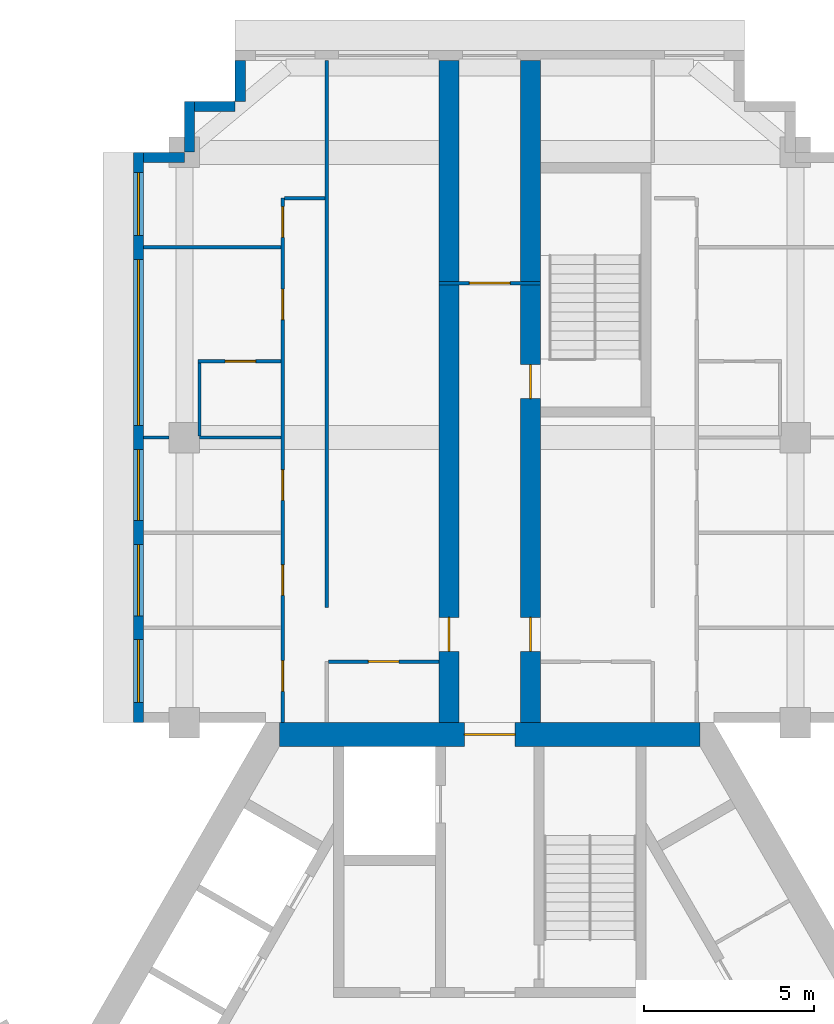
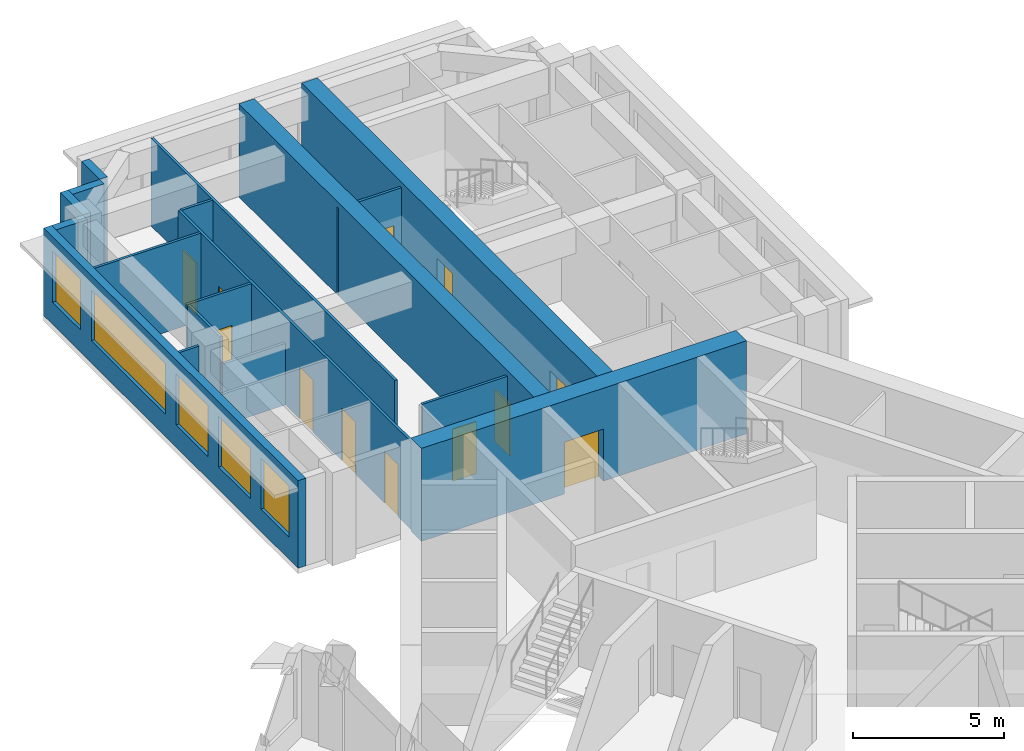
# One storey, part 7 of 10: 18 walls, 12 doors, 5 windows, 17 openings.
"""IFC4 building model written with IfcOpenShell, lengths in metres."""

from ifc_helpers import new_model, si_unit, direction, frame, frame_2d, origin, place, context, subcontext, project, spatial, rectangle, extrude, material, layer, layer_set, type_object, element, fill, save


model = new_model("IFC4")

# Units and contexts
model_context = context("Model", 3, precision=1e-05, world=origin(), true_north=direction((0.0, 1.0)))
body_context = subcontext(model_context, "Body", "Model", "MODEL_VIEW")
ifc_project = project(units=[si_unit("LENGTHUNIT", "METRE"), si_unit("AREAUNIT", "SQUARE_METRE"), si_unit("VOLUMEUNIT", "CUBIC_METRE"), si_unit("PLANEANGLEUNIT", "RADIAN"), si_unit("MASSUNIT", "GRAM", prefix="KILO")], contexts=[model_context])

# Site, building, storey
site_placement = place(None, origin())
site = spatial("IfcSite", under=ifc_project, at=site_placement, CompositionType="ELEMENT")
building_placement = place(site_placement, origin())
building = spatial("IfcBuilding", under=site, at=building_placement, Name="Impinga Residences", CompositionType="ELEMENT")
storey_placement = place(building_placement, frame((0.0, 0.0, 267.25)))
storey = spatial("IfcBuildingStorey", under=building, at=storey_placement, Name="L67", CompositionType="ELEMENT", Elevation=267.25)

# Wall, opening, door
ifc_material_1 = material(Name="Concrete C60/75", Category="concrete")
ifc_layer_1 = layer(ifc_material_1, 0.60009765625)
ifc_layer_set_1 = layer_set([ifc_layer_1], Name="Concrete C60/75")
wall_type_1 = type_object("IfcWallType", Name="BW3 corridor buttress wall, L46 to L73 600", PredefinedType="SHEAR", material=ifc_layer_set_1)
wall_1_placement = place(storey_placement, frame((-1.199951171875, 11.08154296875, 0.0), z_axis=(0.0, 0.0, 1.0), x_axis=(0.0, 1.0, 0.0)))
wall_1 = element("IfcWall", 1, at=wall_1_placement, inside=storey, type_object=wall_type_1, Name="Corridor wall BW3 NC L67", PredefinedType="SHEAR", context=body_context, shape_type="SweptSolid", body=[
    extrude(rectangle(XDim=19.85009765625, YDim=0.60009765625, at=frame_2d((9.925048828125, 0.0))), origin(), (0.0, 0.0, 1.0), 3.75),
])
opening_1_placement = place(wall_1_placement, frame((2.449951171875, 0.0, 0.0)))
opening_1 = element("IfcOpeningElement", 2, at=opening_1_placement, cuts=wall_1, Name="Opening D1", PredefinedType="OPENING", context=body_context, shape_type="SweptSolid", body=[
    extrude(rectangle(XDim=1.0, YDim=2.10009765625, at=frame_2d((0.5, 1.050048828125))), frame((0.0, 0.31005859375, 0.0), z_axis=(0.0, -1.0, 0.0), x_axis=(1.0, 0.0, 0.0)), (0.0, 0.0, 1.0), 0.6201171875),
])
ifc_material_2 = material(Name="Timber door set", Category="wood")
door_type_1 = type_object("IfcDoorType", Name="D1 apartment entrance door 1000x2100", OperationType="SINGLE_SWING_LEFT", PredefinedType="DOOR", material=ifc_material_2)
door_1_placement = place(opening_1_placement, origin())
door_1 = element("IfcDoor", 3, at=door_1_placement, inside=storey, type_object=door_type_1, Name="Apartment L67-NA1 entrance", OperationType="SINGLE_SWING_LEFT", OverallHeight=2.10009765625, OverallWidth=1.0, PredefinedType="DOOR", context=body_context, shape_type="SweptSolid", body=[
    extrude(rectangle(XDim=1.0, YDim=2.10009765625, at=frame_2d((0.5, 1.050048828125))), frame((0.0, 0.02490234375, 0.0), z_axis=(0.0, -1.0, 0.0), x_axis=(1.0, 0.0, 0.0)), (0.0, 0.0, 1.0), 0.050048828125),
])
fill(opening_1, door_1)

# Wall, openings, doors
wall_2_placement = place(storey_placement, frame((1.199951171875, 11.08154296875, 0.0), z_axis=(0.0, 0.0, 1.0), x_axis=(0.0, 1.0, 0.0)))
wall_2 = element("IfcWall", 4, at=wall_2_placement, inside=storey, type_object=wall_type_1, Name="Corridor wall BW3 ND L67", PredefinedType="SHEAR", context=body_context, shape_type="SweptSolid", body=[
    extrude(rectangle(XDim=19.85009765625, YDim=0.60009765625, at=frame_2d((9.925048828125, 0.0))), origin(), (0.0, 0.0, 1.0), 3.75),
])
opening_2_placement = place(wall_2_placement, frame((9.89990234375, 0.0, 0.0)))
opening_2 = element("IfcOpeningElement", 5, at=opening_2_placement, cuts=wall_2, Name="Opening D5", PredefinedType="OPENING", context=body_context, shape_type="SweptSolid", body=[
    extrude(rectangle(XDim=1.0, YDim=2.10009765625, at=frame_2d((0.5, 1.050048828125))), frame((0.0, 0.31005859375, 0.0), z_axis=(0.0, -1.0, 0.0), x_axis=(1.0, 0.0, 0.0)), (0.0, 0.0, 1.0), 0.6201171875),
])
opening_3_placement = place(wall_2_placement, frame((2.449951171875, 0.0, 0.0)))
opening_3 = element("IfcOpeningElement", 6, at=opening_3_placement, cuts=wall_2, Name="Opening D1", PredefinedType="OPENING", context=body_context, shape_type="SweptSolid", body=[
    extrude(rectangle(XDim=1.0, YDim=2.10009765625, at=frame_2d((0.5, 1.050048828125))), frame((0.0, 0.31005859375, 0.0), z_axis=(0.0, -1.0, 0.0), x_axis=(1.0, 0.0, 0.0)), (0.0, 0.0, 1.0), 0.6201171875),
])
door_2_placement = place(opening_3_placement, origin())
door_2 = element("IfcDoor", 7, at=door_2_placement, inside=storey, type_object=door_type_1, Name="Apartment L67-NF1 entrance", OperationType="SINGLE_SWING_LEFT", OverallHeight=2.10009765625, OverallWidth=1.0, PredefinedType="DOOR", context=body_context, shape_type="SweptSolid", body=[
    extrude(rectangle(XDim=1.0, YDim=2.10009765625, at=frame_2d((0.5, 1.050048828125))), frame((0.0, 0.02490234375, 0.0), z_axis=(0.0, -1.0, 0.0), x_axis=(1.0, 0.0, 0.0)), (0.0, 0.0, 1.0), 0.050048828125),
])
fill(opening_3, door_2)
door_type_2 = type_object("IfcDoorType", Name="D5 stair door 1000x2100", OperationType="SINGLE_SWING_LEFT", PredefinedType="DOOR", material=ifc_material_2)
door_3_placement = place(opening_2_placement, origin())
door_3 = element("IfcDoor", 8, at=door_3_placement, inside=storey, type_object=door_type_2, Name="Wing stair door N", OperationType="SINGLE_SWING_RIGHT", OverallHeight=2.10009765625, OverallWidth=1.0, PredefinedType="DOOR", context=body_context, shape_type="SweptSolid", body=[
    extrude(rectangle(XDim=1.0, YDim=2.10009765625, at=frame_2d((0.5, 1.050048828125))), frame((0.0, 0.02490234375, 0.0), z_axis=(0.0, -1.0, 0.0), x_axis=(1.0, 0.0, 0.0)), (0.0, 0.0, 1.0), 0.050048828125),
])
fill(opening_2, door_3)

# Wall, opening, door
ifc_material_3 = material(Name="Concrete blockwork", Category="masonry")
ifc_layer_2 = layer(ifc_material_3, 0.10009765625)
ifc_layer_set_2 = layer_set([ifc_layer_2], Name="CP1 core room partition, blockwork 100")
wall_type_2 = type_object("IfcWallType", Name="CP1 core room partition, blockwork 100", PredefinedType="PARTITIONING", material=ifc_layer_set_2)
wall_3_placement = place(storey_placement, frame((-1.5, 24.381591796875, 0.0), z_axis=(0.0, 0.0, 1.0), x_axis=(1.0, 0.0, 0.0)))
wall_3 = element("IfcWall", 9, at=wall_3_placement, inside=storey, type_object=wall_type_2, Name="Core room partition, blockwork L67:N:LNG", PredefinedType="PARTITIONING", context=body_context, shape_type="SweptSolid", body=[
    extrude(rectangle(XDim=3.0, YDim=0.10009765625, at=frame_2d((1.5, 0.0))), origin(), (0.0, 0.0, 1.0), 3.530029296875),
])
opening_4_placement = place(wall_3_placement, frame((0.89990234375, 0.0, 0.0)))
opening_4 = element("IfcOpeningElement", 10, at=opening_4_placement, cuts=wall_3, Name="Opening D3", PredefinedType="OPENING", context=body_context, shape_type="SweptSolid", body=[
    extrude(rectangle(XDim=1.199951171875, YDim=2.10009765625, at=frame_2d((0.60009765625, 1.050048828125))), frame((0.0, 0.06005859375, 0.0), z_axis=(0.0, -1.0, 0.0), x_axis=(1.0, 0.0, 0.0)), (0.0, 0.0, 1.0), 0.1201171875),
])
door_type_3 = type_object("IfcDoorType", Name="D3 room door, leaf and a half 1200x2100", OperationType="DOUBLE_SWING_LEFT", PredefinedType="DOOR", material=ifc_material_2)
door_4_placement = place(opening_4_placement, origin())
door_4 = element("IfcDoor", 11, at=door_4_placement, inside=storey, type_object=door_type_3, Name="Residents' lounge door N", OperationType="DOUBLE_SWING_LEFT", OverallHeight=2.10009765625, OverallWidth=1.199951171875, PredefinedType="DOOR", context=body_context, shape_type="SweptSolid", body=[
    extrude(rectangle(XDim=1.199951171875, YDim=2.10009765625, at=frame_2d((0.60009765625, 1.050048828125))), frame((0.0, 0.02490234375, 0.0), z_axis=(0.0, -1.0, 0.0), x_axis=(1.0, 0.0, 0.0)), (0.0, 0.0, 1.0), 0.050048828125),
])
fill(opening_4, door_4)

# Wall, openings, windows
ifc_material_4 = material(Name="Terracotta rainscreen on blockwork", Category="masonry")
ifc_layer_3 = layer(ifc_material_4, 0.300048828125)
ifc_layer_set_3 = layer_set([ifc_layer_3], Name="EW1 external wall, terracotta rainscreen on blockwork 300")
wall_type_3 = type_object("IfcWallType", Name="EW1 external wall, terracotta rainscreen on blockwork 300", PredefinedType="SOLIDWALL", material=ifc_layer_set_3)
wall_4_placement = place(storey_placement, frame((-10.35009765625, 11.431640625, 0.0), z_axis=(0.0, 0.0, 1.0), x_axis=(0.0, 1.0, 0.0)))
wall_4 = element("IfcWall", 12, at=wall_4_placement, inside=storey, type_object=wall_type_3, Name="External wall EW1 L67", PredefinedType="SOLIDWALL", context=body_context, shape_type="SweptSolid", body=[
    extrude(rectangle(XDim=16.7998046875, YDim=0.300048828125, at=frame_2d((8.39990234375, 0.0))), origin(), (0.0, 0.0, 1.0), 3.530029296875),
])
opening_5_placement = place(wall_4_placement, frame((0.60009765625, 0.0, 0.89990234375)))
opening_5 = element("IfcOpeningElement", 13, at=opening_5_placement, cuts=wall_4, Name="Opening W15", PredefinedType="OPENING", context=body_context, shape_type="SweptSolid", body=[
    extrude(rectangle(XDim=1.85009765625, YDim=2.050048828125, at=frame_2d((0.925048828125, 1.02490234375))), frame((0.0, 0.159912109375, 0.0), z_axis=(0.0, -1.0, 0.0), x_axis=(1.0, 0.0, 0.0)), (0.0, 0.0, 1.0), 0.320068359375),
])
opening_6_placement = place(wall_4_placement, frame((3.14990234375, 0.0, 0.89990234375)))
opening_6 = element("IfcOpeningElement", 14, at=opening_6_placement, cuts=wall_4, Name="Opening W9", PredefinedType="OPENING", context=body_context, shape_type="SweptSolid", body=[
    extrude(rectangle(XDim=2.10009765625, YDim=2.050048828125, at=frame_2d((1.050048828125, 1.02490234375))), frame((0.0, 0.159912109375, 0.0), z_axis=(0.0, -1.0, 0.0), x_axis=(1.0, 0.0, 0.0)), (0.0, 0.0, 1.0), 0.320068359375),
])
opening_7_placement = place(wall_4_placement, frame((5.949951171875, 0.0, 0.89990234375)))
opening_7 = element("IfcOpeningElement", 15, at=opening_7_placement, cuts=wall_4, Name="Opening W9", PredefinedType="OPENING", context=body_context, shape_type="SweptSolid", body=[
    extrude(rectangle(XDim=2.10009765625, YDim=2.050048828125, at=frame_2d((1.050048828125, 1.02490234375))), frame((0.0, 0.159912109375, 0.0), z_axis=(0.0, -1.0, 0.0), x_axis=(1.0, 0.0, 0.0)), (0.0, 0.0, 1.0), 0.320068359375),
])
opening_8_placement = place(wall_4_placement, frame((8.75, 0.0, 0.89990234375)))
opening_8 = element("IfcOpeningElement", 16, at=opening_8_placement, cuts=wall_4, Name="Opening W16", PredefinedType="OPENING", context=body_context, shape_type="SweptSolid", body=[
    extrude(rectangle(XDim=4.89990234375, YDim=2.050048828125, at=frame_2d((2.449951171875, 1.02490234375))), frame((0.0, 0.159912109375, 0.0), z_axis=(0.0, -1.0, 0.0), x_axis=(1.0, 0.0, 0.0)), (0.0, 0.0, 1.0), 0.320068359375),
])
opening_9_placement = place(wall_4_placement, frame((14.35009765625, 0.0, 0.89990234375)))
opening_9 = element("IfcOpeningElement", 17, at=opening_9_placement, cuts=wall_4, Name="Opening W15", PredefinedType="OPENING", context=body_context, shape_type="SweptSolid", body=[
    extrude(rectangle(XDim=1.85009765625, YDim=2.050048828125, at=frame_2d((0.925048828125, 1.02490234375))), frame((0.0, 0.159912109375, 0.0), z_axis=(0.0, -1.0, 0.0), x_axis=(1.0, 0.0, 0.0)), (0.0, 0.0, 1.0), 0.320068359375),
])
ifc_material_5 = material(Name="Aluminium window, clear double glazing", Category="aluminium")
window_type_1 = type_object("IfcWindowType", Name="W15 ribbon window 1850x2050", PartitioningType="SINGLE_PANEL", PredefinedType="WINDOW", material=ifc_material_5)
window_1_placement = place(opening_5_placement, origin())
window_1 = element("IfcWindow", 18, at=window_1_placement, inside=storey, type_object=window_type_1, Name="Window L67", OverallHeight=2.050048828125, OverallWidth=1.85009765625, PartitioningType="SINGLE_PANEL", PredefinedType="WINDOW", context=body_context, shape_type="SweptSolid", body=[
    extrude(rectangle(XDim=1.85009765625, YDim=2.050048828125, at=frame_2d((0.925048828125, 1.02490234375))), frame((0.0, 0.030029296875, 0.0), z_axis=(0.0, -1.0, 0.0), x_axis=(1.0, 0.0, 0.0)), (0.0, 0.0, 1.0), 0.06005859375),
])
fill(opening_5, window_1)
window_2_placement = place(opening_9_placement, origin())
window_2 = element("IfcWindow", 19, at=window_2_placement, inside=storey, type_object=window_type_1, Name="Window L67", OverallHeight=2.050048828125, OverallWidth=1.85009765625, PartitioningType="SINGLE_PANEL", PredefinedType="WINDOW", context=body_context, shape_type="SweptSolid", body=[
    extrude(rectangle(XDim=1.85009765625, YDim=2.050048828125, at=frame_2d((0.925048828125, 1.02490234375))), frame((0.0, 0.030029296875, 0.0), z_axis=(0.0, -1.0, 0.0), x_axis=(1.0, 0.0, 0.0)), (0.0, 0.0, 1.0), 0.06005859375),
])
fill(opening_9, window_2)
window_type_2 = type_object("IfcWindowType", Name="W16 ribbon window 4900x2050", PartitioningType="SINGLE_PANEL", PredefinedType="WINDOW", material=ifc_material_5)
window_3_placement = place(opening_8_placement, origin())
window_3 = element("IfcWindow", 20, at=window_3_placement, inside=storey, type_object=window_type_2, Name="Window L67", OverallHeight=2.050048828125, OverallWidth=4.89990234375, PartitioningType="SINGLE_PANEL", PredefinedType="WINDOW", context=body_context, shape_type="SweptSolid", body=[
    extrude(rectangle(XDim=4.89990234375, YDim=2.050048828125, at=frame_2d((2.449951171875, 1.02490234375))), frame((0.0, 0.030029296875, 0.0), z_axis=(0.0, -1.0, 0.0), x_axis=(1.0, 0.0, 0.0)), (0.0, 0.0, 1.0), 0.06005859375),
])
fill(opening_8, window_3)
window_type_3 = type_object("IfcWindowType", Name="W9 ribbon window 2100x2050", PartitioningType="SINGLE_PANEL", PredefinedType="WINDOW", material=ifc_material_5)
window_4_placement = place(opening_6_placement, origin())
window_4 = element("IfcWindow", 21, at=window_4_placement, inside=storey, type_object=window_type_3, Name="Window L67", OverallHeight=2.050048828125, OverallWidth=2.10009765625, PartitioningType="SINGLE_PANEL", PredefinedType="WINDOW", context=body_context, shape_type="SweptSolid", body=[
    extrude(rectangle(XDim=2.10009765625, YDim=2.050048828125, at=frame_2d((1.050048828125, 1.02490234375))), frame((0.0, 0.030029296875, 0.0), z_axis=(0.0, -1.0, 0.0), x_axis=(1.0, 0.0, 0.0)), (0.0, 0.0, 1.0), 0.06005859375),
])
fill(opening_6, window_4)
window_5_placement = place(opening_7_placement, origin())
window_5 = element("IfcWindow", 22, at=window_5_placement, inside=storey, type_object=window_type_3, Name="Window L67", OverallHeight=2.050048828125, OverallWidth=2.10009765625, PartitioningType="SINGLE_PANEL", PredefinedType="WINDOW", context=body_context, shape_type="SweptSolid", body=[
    extrude(rectangle(XDim=2.10009765625, YDim=2.050048828125, at=frame_2d((1.050048828125, 1.02490234375))), frame((0.0, 0.030029296875, 0.0), z_axis=(0.0, -1.0, 0.0), x_axis=(1.0, 0.0, 0.0)), (0.0, 0.0, 1.0), 0.06005859375),
])
fill(opening_7, window_5)

# Walls
wall_5_placement = place(storey_placement, frame((-10.199951171875, 28.08154296875, 0.0), z_axis=(0.0, 0.0, 1.0), x_axis=(1.0, 0.0, 0.0)))
element("IfcWall", 23, at=wall_5_placement, inside=storey, type_object=wall_type_3, Name="External wall EW1 L67", PredefinedType="SOLIDWALL", context=body_context, shape_type="SweptSolid", body=[
    extrude(rectangle(XDim=1.199951171875, YDim=0.300048828125, at=frame_2d((0.60009765625, 0.0))), origin(), (0.0, 0.0, 1.0), 3.530029296875),
])
wall_6_placement = place(storey_placement, frame((-8.85009765625, 28.236572265625, 0.0), z_axis=(0.0, 0.0, 1.0), x_axis=(0.0, 1.0, 0.0)))
element("IfcWall", 24, at=wall_6_placement, inside=storey, type_object=wall_type_3, Name="External wall EW1 L67", PredefinedType="SOLIDWALL", context=body_context, shape_type="SweptSolid", body=[
    extrude(rectangle(XDim=1.494873046875, YDim=0.300048828125, at=frame_2d((0.74755859375, 0.0))), origin(), (0.0, 0.0, 1.0), 3.530029296875),
])
wall_7_placement = place(storey_placement, frame((-8.699951171875, 29.58154296875, 0.0), z_axis=(0.0, 0.0, 1.0), x_axis=(1.0, 0.0, 0.0)))
element("IfcWall", 25, at=wall_7_placement, inside=storey, type_object=wall_type_3, Name="External wall EW1 L67", PredefinedType="SOLIDWALL", context=body_context, shape_type="SweptSolid", body=[
    extrude(rectangle(XDim=1.199951171875, YDim=0.300048828125, at=frame_2d((0.60009765625, 0.0))), origin(), (0.0, 0.0, 1.0), 3.530029296875),
])
wall_8_placement = place(storey_placement, frame((-7.35009765625, 29.736572265625, 0.0), z_axis=(0.0, 0.0, 1.0), x_axis=(0.0, 1.0, 0.0)))
element("IfcWall", 26, at=wall_8_placement, inside=storey, type_object=wall_type_3, Name="External wall EW1 L67", PredefinedType="SOLIDWALL", context=body_context, shape_type="SweptSolid", body=[
    extrude(rectangle(XDim=1.195068359375, YDim=0.300048828125, at=frame_2d((0.59765625, 0.0))), origin(), (0.0, 0.0, 1.0), 3.530029296875),
])
ifc_material_6 = material(Name="Gypsum board on steel studs", Category="steel")
ifc_layer_4 = layer(ifc_material_6, 0.10009765625)
ifc_layer_set_4 = layer_set([ifc_layer_4], Name="Gypsum board on steel studs")
wall_type_4 = type_object("IfcWallType", Name="IP1 partition 100", PredefinedType="PARTITIONING", material=ifc_layer_set_4)
wall_9_placement = place(storey_placement, frame((-4.800048828125, 14.83154296875, 0.0), z_axis=(0.0, 0.0, 1.0), x_axis=(0.0, 1.0, 0.0)))
element("IfcWall", 27, at=wall_9_placement, inside=storey, type_object=wall_type_4, Name="Partition L67-NA1:DIV1", PredefinedType="PARTITIONING", context=body_context, shape_type="SweptSolid", body=[
    extrude(rectangle(XDim=16.10009765625, YDim=0.10009765625, at=frame_2d((8.050048828125, 0.0))), origin(), (0.0, 0.0, 1.0), 3.530029296875),
])

# Wall, openings, doors
wall_10_placement = place(storey_placement, frame((-6.10009765625, 11.431640625, 0.0), z_axis=(0.0, 0.0, 1.0), x_axis=(0.0, 1.0, 0.0)))
wall_10 = element("IfcWall", 28, at=wall_10_placement, inside=storey, type_object=wall_type_4, Name="Partition L67-NA1:STRIP", PredefinedType="PARTITIONING", context=body_context, shape_type="SweptSolid", body=[
    extrude(rectangle(XDim=15.449951171875, YDim=0.10009765625, at=frame_2d((7.72509765625, 0.0))), origin(), (0.0, 0.0, 1.0), 3.530029296875),
])
opening_10_placement = place(wall_10_placement, frame((0.925048828125, 0.0, 0.0)))
opening_10 = element("IfcOpeningElement", 29, at=opening_10_placement, cuts=wall_10, Name="Opening D2", PredefinedType="OPENING", context=body_context, shape_type="SweptSolid", body=[
    extrude(rectangle(XDim=0.89990234375, YDim=2.10009765625, at=frame_2d((0.449951171875, 1.050048828125))), frame((0.0, 0.06005859375, 0.0), z_axis=(0.0, -1.0, 0.0), x_axis=(1.0, 0.0, 0.0)), (0.0, 0.0, 1.0), 0.1201171875),
])
opening_11_placement = place(wall_10_placement, frame((3.75, 0.0, 0.0)))
opening_11 = element("IfcOpeningElement", 30, at=opening_11_placement, cuts=wall_10, Name="Opening D2", PredefinedType="OPENING", context=body_context, shape_type="SweptSolid", body=[
    extrude(rectangle(XDim=0.89990234375, YDim=2.10009765625, at=frame_2d((0.449951171875, 1.050048828125))), frame((0.0, 0.06005859375, 0.0), z_axis=(0.0, -1.0, 0.0), x_axis=(1.0, 0.0, 0.0)), (0.0, 0.0, 1.0), 0.1201171875),
])
opening_12_placement = place(wall_10_placement, frame((6.550048828125, 0.0, 0.0)))
opening_12 = element("IfcOpeningElement", 31, at=opening_12_placement, cuts=wall_10, Name="Opening D2", PredefinedType="OPENING", context=body_context, shape_type="SweptSolid", body=[
    extrude(rectangle(XDim=0.89990234375, YDim=2.10009765625, at=frame_2d((0.449951171875, 1.050048828125))), frame((0.0, 0.06005859375, 0.0), z_axis=(0.0, -1.0, 0.0), x_axis=(1.0, 0.0, 0.0)), (0.0, 0.0, 1.0), 0.1201171875),
])
opening_13_placement = place(wall_10_placement, frame((11.875, 0.0, 0.0)))
opening_13 = element("IfcOpeningElement", 32, at=opening_13_placement, cuts=wall_10, Name="Opening D2", PredefinedType="OPENING", context=body_context, shape_type="SweptSolid", body=[
    extrude(rectangle(XDim=0.89990234375, YDim=2.10009765625, at=frame_2d((0.449951171875, 1.050048828125))), frame((0.0, 0.06005859375, 0.0), z_axis=(0.0, -1.0, 0.0), x_axis=(1.0, 0.0, 0.0)), (0.0, 0.0, 1.0), 0.1201171875),
])
opening_14_placement = place(wall_10_placement, frame((14.300048828125, 0.0, 0.0)))
opening_14 = element("IfcOpeningElement", 33, at=opening_14_placement, cuts=wall_10, Name="Opening D2", PredefinedType="OPENING", context=body_context, shape_type="SweptSolid", body=[
    extrude(rectangle(XDim=0.89990234375, YDim=2.10009765625, at=frame_2d((0.449951171875, 1.050048828125))), frame((0.0, 0.06005859375, 0.0), z_axis=(0.0, -1.0, 0.0), x_axis=(1.0, 0.0, 0.0)), (0.0, 0.0, 1.0), 0.1201171875),
])
door_type_4 = type_object("IfcDoorType", Name="D2 internal door 900x2100", OperationType="SINGLE_SWING_LEFT", PredefinedType="DOOR", material=ifc_material_2)
door_5_placement = place(opening_10_placement, origin())
door_5 = element("IfcDoor", 34, at=door_5_placement, inside=storey, type_object=door_type_4, Name="Apartment L67-NA1 room door", OperationType="SINGLE_SWING_LEFT", OverallHeight=2.10009765625, OverallWidth=0.89990234375, PredefinedType="DOOR", context=body_context, shape_type="SweptSolid", body=[
    extrude(rectangle(XDim=0.89990234375, YDim=2.10009765625, at=frame_2d((0.449951171875, 1.050048828125))), frame((0.0, 0.02490234375, 0.0), z_axis=(0.0, -1.0, 0.0), x_axis=(1.0, 0.0, 0.0)), (0.0, 0.0, 1.0), 0.050048828125),
])
fill(opening_10, door_5)
door_6_placement = place(opening_11_placement, origin())
door_6 = element("IfcDoor", 35, at=door_6_placement, inside=storey, type_object=door_type_4, Name="Apartment L67-NA1 room door", OperationType="SINGLE_SWING_LEFT", OverallHeight=2.10009765625, OverallWidth=0.89990234375, PredefinedType="DOOR", context=body_context, shape_type="SweptSolid", body=[
    extrude(rectangle(XDim=0.89990234375, YDim=2.10009765625, at=frame_2d((0.449951171875, 1.050048828125))), frame((0.0, 0.02490234375, 0.0), z_axis=(0.0, -1.0, 0.0), x_axis=(1.0, 0.0, 0.0)), (0.0, 0.0, 1.0), 0.050048828125),
])
fill(opening_11, door_6)
door_7_placement = place(opening_12_placement, origin())
door_7 = element("IfcDoor", 36, at=door_7_placement, inside=storey, type_object=door_type_4, Name="Apartment L67-NA1 room door", OperationType="SINGLE_SWING_LEFT", OverallHeight=2.10009765625, OverallWidth=0.89990234375, PredefinedType="DOOR", context=body_context, shape_type="SweptSolid", body=[
    extrude(rectangle(XDim=0.89990234375, YDim=2.10009765625, at=frame_2d((0.449951171875, 1.050048828125))), frame((0.0, 0.02490234375, 0.0), z_axis=(0.0, -1.0, 0.0), x_axis=(1.0, 0.0, 0.0)), (0.0, 0.0, 1.0), 0.050048828125),
])
fill(opening_12, door_7)
door_8_placement = place(opening_13_placement, origin())
door_8 = element("IfcDoor", 37, at=door_8_placement, inside=storey, type_object=door_type_4, Name="Apartment L67-NA1 room door", OperationType="SINGLE_SWING_RIGHT", OverallHeight=2.10009765625, OverallWidth=0.89990234375, PredefinedType="DOOR", context=body_context, shape_type="SweptSolid", body=[
    extrude(rectangle(XDim=0.89990234375, YDim=2.10009765625, at=frame_2d((0.449951171875, 1.050048828125))), frame((0.0, 0.02490234375, 0.0), z_axis=(0.0, -1.0, 0.0), x_axis=(1.0, 0.0, 0.0)), (0.0, 0.0, 1.0), 0.050048828125),
])
fill(opening_13, door_8)
door_9_placement = place(opening_14_placement, origin())
door_9 = element("IfcDoor", 38, at=door_9_placement, inside=storey, type_object=door_type_4, Name="Apartment L67-NA1 room door", OperationType="SINGLE_SWING_RIGHT", OverallHeight=2.10009765625, OverallWidth=0.89990234375, PredefinedType="DOOR", context=body_context, shape_type="SweptSolid", body=[
    extrude(rectangle(XDim=0.89990234375, YDim=2.10009765625, at=frame_2d((0.449951171875, 1.050048828125))), frame((0.0, 0.02490234375, 0.0), z_axis=(0.0, -1.0, 0.0), x_axis=(1.0, 0.0, 0.0)), (0.0, 0.0, 1.0), 0.050048828125),
])
fill(opening_14, door_9)

# Wall
wall_11_placement = place(storey_placement, frame((-4.85009765625, 26.881591796875, 0.0), z_axis=(0.0, 0.0, 1.0), x_axis=(-1.0, 0.0, 0.0)))
element("IfcWall", 39, at=wall_11_placement, inside=storey, type_object=wall_type_4, Name="Partition L67-NA1:SE1", PredefinedType="PARTITIONING", context=body_context, shape_type="SweptSolid", body=[
    extrude(rectangle(XDim=1.199951171875, YDim=0.10009765625, at=frame_2d((0.60009765625, 0.0))), origin(), (0.0, 0.0, 1.0), 3.530029296875),
])

# Wall, opening, door
wall_12_placement = place(storey_placement, frame((-1.5, 13.2314453125, 0.0), z_axis=(0.0, 0.0, 1.0), x_axis=(-1.0, 0.0, 0.0)))
wall_12 = element("IfcWall", 40, at=wall_12_placement, inside=storey, type_object=wall_type_4, Name="Partition L67-NA1:IB1", PredefinedType="PARTITIONING", context=body_context, shape_type="SweptSolid", body=[
    extrude(rectangle(XDim=3.25, YDim=0.10009765625, at=frame_2d((1.625, 0.0))), origin(), (0.0, 0.0, 1.0), 3.530029296875),
])
opening_15_placement = place(wall_12_placement, frame((1.175048828125, 0.0, 0.0)))
opening_15 = element("IfcOpeningElement", 41, at=opening_15_placement, cuts=wall_12, Name="Opening D2", PredefinedType="OPENING", context=body_context, shape_type="SweptSolid", body=[
    extrude(rectangle(XDim=0.89990234375, YDim=2.10009765625, at=frame_2d((0.449951171875, 1.050048828125))), frame((0.0, 0.06005859375, 0.0), z_axis=(0.0, -1.0, 0.0), x_axis=(1.0, 0.0, 0.0)), (0.0, 0.0, 1.0), 0.1201171875),
])
door_10_placement = place(opening_15_placement, origin())
door_10 = element("IfcDoor", 42, at=door_10_placement, inside=storey, type_object=door_type_4, Name="Apartment L67-NA1 bathroom door", OperationType="SINGLE_SWING_LEFT", OverallHeight=2.10009765625, OverallWidth=0.89990234375, PredefinedType="DOOR", context=body_context, shape_type="SweptSolid", body=[
    extrude(rectangle(XDim=0.89990234375, YDim=2.10009765625, at=frame_2d((0.449951171875, 1.050048828125))), frame((0.0, 0.02490234375, 0.0), z_axis=(0.0, -1.0, 0.0), x_axis=(1.0, 0.0, 0.0)), (0.0, 0.0, 1.0), 0.050048828125),
])
fill(opening_15, door_10)

# Walls
wall_13_placement = place(storey_placement, frame((-6.14990234375, 19.83154296875, 0.0), z_axis=(0.0, 0.0, 1.0), x_axis=(-1.0, 0.0, 0.0)))
element("IfcWall", 43, at=wall_13_placement, inside=storey, type_object=wall_type_4, Name="Partition L67-NA1:OB3", PredefinedType="PARTITIONING", context=body_context, shape_type="SweptSolid", body=[
    extrude(rectangle(XDim=2.400146484375, YDim=0.10009765625, at=frame_2d((1.2001953125, 0.0))), origin(), (0.0, 0.0, 1.0), 2.47998046875),
])
wall_14_placement = place(storey_placement, frame((-9.449951171875, 19.83154296875, 0.0), z_axis=(0.0, 0.0, 1.0), x_axis=(-1.0, 0.0, 0.0)))
element("IfcWall", 44, at=wall_14_placement, inside=storey, type_object=wall_type_4, Name="Partition L67-NA1:OB3b", PredefinedType="PARTITIONING", context=body_context, shape_type="SweptSolid", body=[
    extrude(rectangle(XDim=0.75, YDim=0.10009765625, at=frame_2d((0.375, 0.0))), origin(), (0.0, 0.0, 1.0), 3.530029296875),
])
wall_15_placement = place(storey_placement, frame((-6.14990234375, 25.431640625, 0.0), z_axis=(0.0, 0.0, 1.0), x_axis=(-1.0, 0.0, 0.0)))
element("IfcWall", 45, at=wall_15_placement, inside=storey, type_object=wall_type_4, Name="Partition L67-NA1:OB4", PredefinedType="PARTITIONING", context=body_context, shape_type="SweptSolid", body=[
    extrude(rectangle(XDim=4.050048828125, YDim=0.10009765625, at=frame_2d((2.02490234375, 0.0))), origin(), (0.0, 0.0, 1.0), 3.530029296875),
])

# Wall, opening, door
wall_16_placement = place(storey_placement, frame((-6.14990234375, 22.08154296875, 0.0), z_axis=(0.0, 0.0, 1.0), x_axis=(-1.0, 0.0, 0.0)))
wall_16 = element("IfcWall", 46, at=wall_16_placement, inside=storey, type_object=wall_type_4, Name="Partition L67-NA1:EN1", PredefinedType="PARTITIONING", context=body_context, shape_type="SweptSolid", body=[
    extrude(rectangle(XDim=2.4501953125, YDim=0.10009765625, at=frame_2d((1.22509765625, 0.0))), origin(), (0.0, 0.0, 1.0), 3.530029296875),
])
opening_16_placement = place(wall_16_placement, frame((0.75, 0.0, 0.0)))
opening_16 = element("IfcOpeningElement", 47, at=opening_16_placement, cuts=wall_16, Name="Opening D2", PredefinedType="OPENING", context=body_context, shape_type="SweptSolid", body=[
    extrude(rectangle(XDim=0.89990234375, YDim=2.10009765625, at=frame_2d((0.449951171875, 1.050048828125))), frame((0.0, 0.06005859375, 0.0), z_axis=(0.0, -1.0, 0.0), x_axis=(1.0, 0.0, 0.0)), (0.0, 0.0, 1.0), 0.1201171875),
])
door_11_placement = place(opening_16_placement, origin())
door_11 = element("IfcDoor", 48, at=door_11_placement, inside=storey, type_object=door_type_4, Name="Apartment L67-NA1 en-suite door", OperationType="SINGLE_SWING_LEFT", OverallHeight=2.10009765625, OverallWidth=0.89990234375, PredefinedType="DOOR", context=body_context, shape_type="SweptSolid", body=[
    extrude(rectangle(XDim=0.89990234375, YDim=2.10009765625, at=frame_2d((0.449951171875, 1.050048828125))), frame((0.0, 0.02490234375, 0.0), z_axis=(0.0, -1.0, 0.0), x_axis=(1.0, 0.0, 0.0)), (0.0, 0.0, 1.0), 0.050048828125),
])
fill(opening_16, door_11)

# Wall
wall_17_placement = place(storey_placement, frame((-8.550048828125, 19.881591796875, 0.0), z_axis=(0.0, 0.0, 1.0), x_axis=(0.0, 1.0, 0.0)))
element("IfcWall", 49, at=wall_17_placement, inside=storey, type_object=wall_type_4, Name="Partition L67-NA1:EN2", PredefinedType="PARTITIONING", context=body_context, shape_type="SweptSolid", body=[
    extrude(rectangle(XDim=2.14990234375, YDim=0.10009765625, at=frame_2d((1.074951171875, 0.0))), origin(), (0.0, 0.0, 1.0), 3.530029296875),
])

# Wall, opening, door
ifc_layer_5 = layer(ifc_material_1, 0.699951171875)
ifc_layer_set_5 = layer_set([ifc_layer_5], Name="Concrete C60/75")
wall_type_5 = type_object("IfcWallType", Name="SW3 core wall 700", PredefinedType="SHEAR", material=ifc_layer_set_5)
wall_18_placement = place(storey_placement, frame((-6.19580078125, 11.08154296875, 0.0), z_axis=(0.0, 0.0, 1.0), x_axis=(1.0, 0.0, 0.0)))
wall_18 = element("IfcWall", 50, at=wall_18_placement, inside=storey, type_object=wall_type_5, Name="Core wall SW3 N:FACE L67", PredefinedType="SHEAR", context=body_context, shape_type="SweptSolid", body=[
    extrude(rectangle(XDim=12.3916015625, YDim=0.699951171875, at=frame_2d((6.19580078125, 0.0))), origin(), (0.0, 0.0, 1.0), 3.75),
])
opening_17_placement = place(wall_18_placement, frame((5.44580078125, 0.0, 0.0)))
opening_17 = element("IfcOpeningElement", 51, at=opening_17_placement, cuts=wall_18, Name="Opening D4", PredefinedType="OPENING", context=body_context, shape_type="SweptSolid", body=[
    extrude(rectangle(XDim=1.5, YDim=2.10009765625, at=frame_2d((0.75, 1.050048828125))), frame((0.0, 0.35986328125, 0.0), z_axis=(0.0, -1.0, 0.0), x_axis=(1.0, 0.0, 0.0)), (0.0, 0.0, 1.0), 0.719970703125),
])
door_type_5 = type_object("IfcDoorType", Name="D4 lobby door pair 1500x2100", OperationType="DOUBLE_DOOR_DOUBLE_SWING", PredefinedType="DOOR", material=ifc_material_2)
door_12_placement = place(opening_17_placement, origin())
door_12 = element("IfcDoor", 52, at=door_12_placement, inside=storey, type_object=door_type_5, Name="Lobby door N", OperationType="DOUBLE_DOOR_DOUBLE_SWING", OverallHeight=2.10009765625, OverallWidth=1.5, PredefinedType="DOOR", context=body_context, shape_type="SweptSolid", body=[
    extrude(rectangle(XDim=1.5, YDim=2.10009765625, at=frame_2d((0.75, 1.050048828125))), frame((0.0, 0.02490234375, 0.0), z_axis=(0.0, -1.0, 0.0), x_axis=(1.0, 0.0, 0.0)), (0.0, 0.0, 1.0), 0.050048828125),
])
fill(opening_17, door_12)

save(model, "model.ifc")
